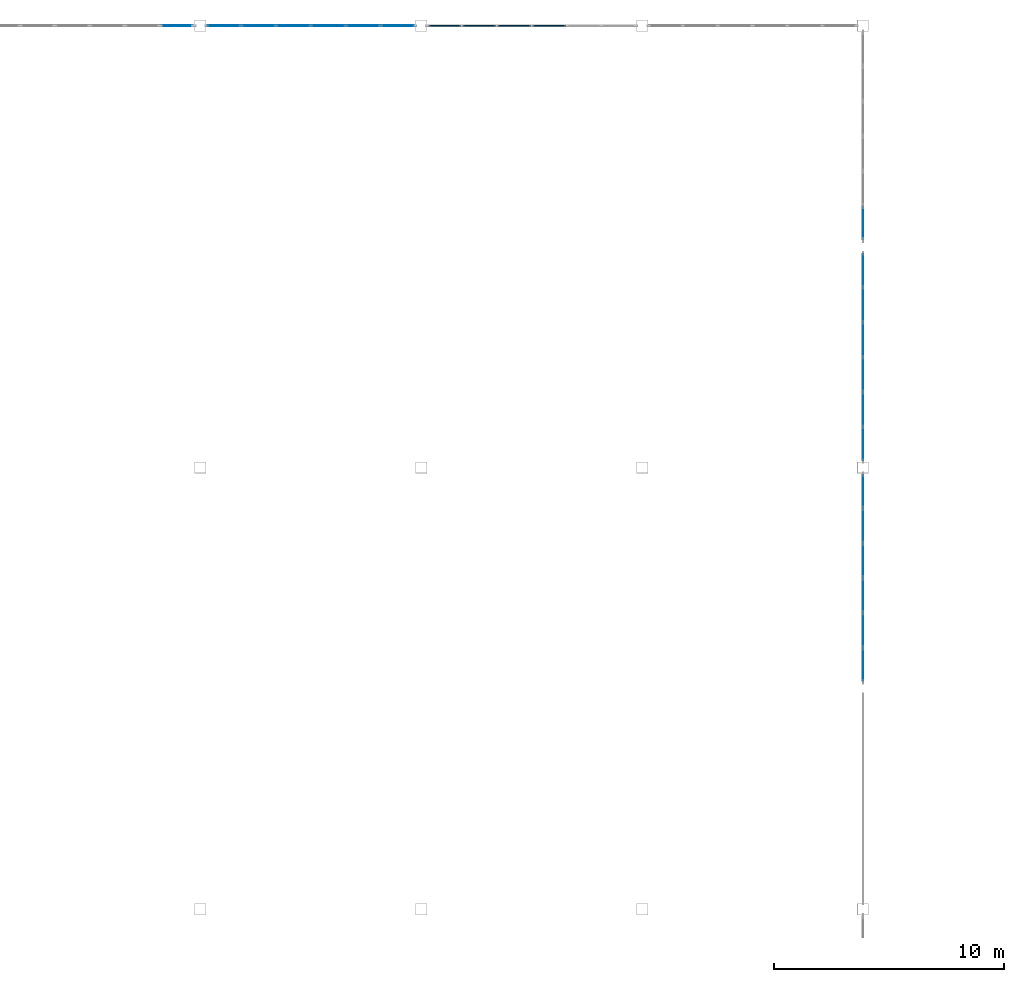
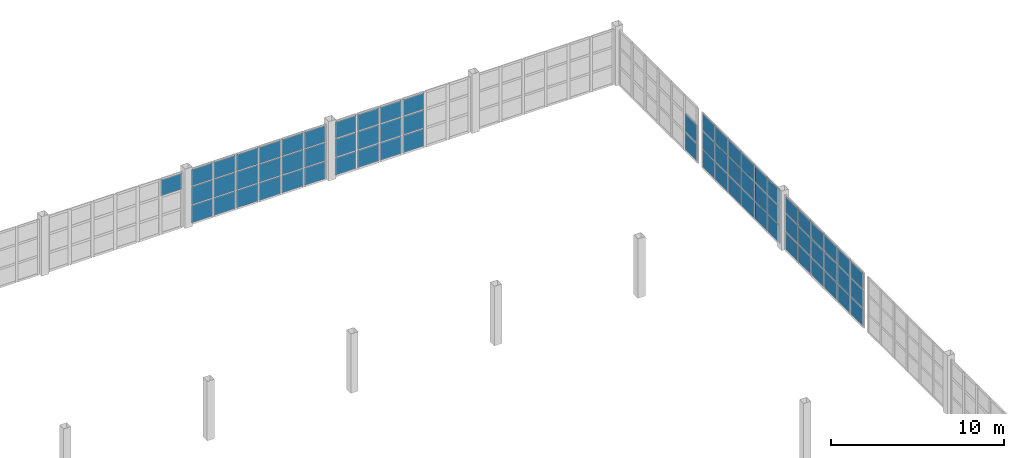
# One storey, part 58 of 82: 69 plates, 6 elements without a shape of their own.
"""IFC4 building model written with IfcOpenShell, lengths in metres."""

from ifc_helpers import new_model, si_unit, direction, frame, origin, origin_2d, place, context, subcontext, project, spatial, rectangle, extrude, material, layer, layer_set, type_object, element, aggregate, save


model = new_model("IFC4")

# Units and contexts
model_context = context("Model", 3, precision=1e-05, world=origin(), true_north=direction((0.0, 1.0)))
body_context = subcontext(model_context, "Body", "Model", "MODEL_VIEW")
ifc_project = project(units=[si_unit("LENGTHUNIT", "METRE"), si_unit("AREAUNIT", "SQUARE_METRE"), si_unit("VOLUMEUNIT", "CUBIC_METRE"), si_unit("PLANEANGLEUNIT", "RADIAN"), si_unit("MASSUNIT", "GRAM", prefix="KILO")], contexts=[model_context])

# Site, building, storey
site_placement = place(None, origin())
site = spatial("IfcSite", under=ifc_project, at=site_placement, CompositionType="ELEMENT")
building_placement = place(site_placement, origin())
building = spatial("IfcBuilding", under=site, at=building_placement, Name="Zarnetskaya Central Station", CompositionType="ELEMENT")
storey_placement = place(building_placement, frame((0.0, 0.0, 10.199951171875)))
storey = spatial("IfcBuildingStorey", under=building, at=storey_placement, Name="L02", CompositionType="ELEMENT", Elevation=10.199951171875)

# Curtain wall, plates
ifc_material = material(Name="Low-E insulated glass", Category="glass")
ifc_layer_1 = layer(ifc_material, 0.1640625, Name="Low-E insulated glass", Category="glass")
ifc_layer_set_1 = layer_set([ifc_layer_1], Name="Low-E insulated glass")
curtain_wall_type = type_object("IfcCurtainWallType", Name="CW-SYS-12", PredefinedType="USERDEFINED", material=ifc_layer_set_1)
curtain_wall_1_placement = place(storey_placement, origin())
curtain_wall_1 = element("IfcCurtainWall", 1, at=curtain_wall_1_placement, inside=storey, type_object=curtain_wall_type, Name="Curtain wall CW-L02-176", ObjectType="CURTAIN WALL", PredefinedType="USERDEFINED")
ifc_layer_2 = layer(ifc_material, 0.031982421875, Name="Low-E insulated glass", Category="glass")
ifc_layer_set_2 = layer_set([ifc_layer_2], Name="Low-E insulated glass")
plate_type_1 = type_object("IfcPlateType", Name="CW-PAN-32", PredefinedType="CURTAIN_PANEL", material=ifc_layer_set_2)
plate_1_placement = place(storey_placement, frame((124.800048828125, 116.228271484375, 0.080078125), z_axis=(0.0, 0.0, 1.0), x_axis=(0.0, -1.0, 0.0)))
plate_1 = element("IfcPlate", 2, at=plate_1_placement, type_object=plate_type_1, Name="CW-18 panel 6.1", PredefinedType="CURTAIN_PANEL", context=body_context, shape_type="SweptSolid", body=[
    extrude(rectangle(XDim=1.396728515625, YDim=0.031982421875, at=origin_2d()), origin(), (0.0, 0.0, 1.0), 1.2060546875),
])
plate_2_placement = place(storey_placement, frame((124.800048828125, 116.228271484375, 1.365966796875), z_axis=(0.0, 0.0, 1.0), x_axis=(0.0, -1.0, 0.0)))
plate_2 = element("IfcPlate", 3, at=plate_2_placement, type_object=plate_type_1, Name="CW-18 panel 6.2", PredefinedType="CURTAIN_PANEL", context=body_context, shape_type="SweptSolid", body=[
    extrude(rectangle(XDim=1.396728515625, YDim=0.031982421875, at=origin_2d()), origin(), (0.0, 0.0, 1.0), 1.24609375),
])
aggregate(curtain_wall_1, [plate_1, plate_2])

# Curtain wall, plate
curtain_wall_2_placement = place(storey_placement, origin())
curtain_wall_2 = element("IfcCurtainWall", 4, at=curtain_wall_2_placement, inside=storey, type_object=curtain_wall_type, Name="Curtain wall CW-L02-172", ObjectType="CURTAIN WALL", PredefinedType="USERDEFINED")
ifc_layer_3 = layer(ifc_material, 0.035888671875, Name="Low-E insulated glass", Category="glass")
ifc_layer_set_3 = layer_set([ifc_layer_3], Name="Low-E insulated glass")
plate_type_2 = type_object("IfcPlateType", Name="CW-PAN-36", PredefinedType="CURTAIN_PANEL", material=ifc_layer_set_3)
plate_3_placement = place(storey_placement, frame((94.9716796875, 124.800048828125, 2.692138671875), z_axis=(0.0, 0.0, 1.0), x_axis=(1.0, 0.0, 0.0)))
plate_3 = element("IfcPlate", 5, at=plate_3_placement, type_object=plate_type_2, Name="CW-18 panel 6.3", PredefinedType="CURTAIN_PANEL", context=body_context, shape_type="SweptSolid", body=[
    extrude(rectangle(XDim=1.396728515625, YDim=0.035888671875, at=origin_2d()), origin(), (0.0, 0.0, 1.0), 1.1279296875),
])
aggregate(curtain_wall_2, [plate_3])

# Curtain wall, plates
curtain_wall_3_placement = place(storey_placement, origin())
curtain_wall_3 = element("IfcCurtainWall", 6, at=curtain_wall_3_placement, inside=storey, type_object=curtain_wall_type, Name="Curtain wall CW-L02-177", ObjectType="CURTAIN WALL", PredefinedType="USERDEFINED")
plate_4_placement = place(storey_placement, frame((124.800048828125, 114.174072265625, 0.0703125), z_axis=(0.0, 0.0, 1.0), x_axis=(0.0, -1.0, 0.0)))
plate_4 = element("IfcPlate", 7, at=plate_4_placement, type_object=plate_type_2, Name="CW-18 panel 1.1", PredefinedType="CURTAIN_PANEL", context=body_context, shape_type="SweptSolid", body=[
    extrude(rectangle(XDim=1.41162109375, YDim=0.035888671875, at=origin_2d()), origin(), (0.0, 0.0, 1.0), 1.220947265625),
])
plate_5_placement = place(storey_placement, frame((124.800048828125, 114.174072265625, 1.36083984375), z_axis=(0.0, 0.0, 1.0), x_axis=(0.0, -1.0, 0.0)))
plate_5 = element("IfcPlate", 8, at=plate_5_placement, type_object=plate_type_2, Name="CW-18 panel 1.2", PredefinedType="CURTAIN_PANEL", context=body_context, shape_type="SweptSolid", body=[
    extrude(rectangle(XDim=1.41162109375, YDim=0.035888671875, at=origin_2d()), origin(), (0.0, 0.0, 1.0), 1.256103515625),
])
plate_6_placement = place(storey_placement, frame((124.800048828125, 114.174072265625, 2.68701171875), z_axis=(0.0, 0.0, 1.0), x_axis=(0.0, -1.0, 0.0)))
plate_6 = element("IfcPlate", 9, at=plate_6_placement, type_object=plate_type_2, Name="CW-18 panel 1.3", PredefinedType="CURTAIN_PANEL", context=body_context, shape_type="SweptSolid", body=[
    extrude(rectangle(XDim=1.41162109375, YDim=0.035888671875, at=origin_2d()), origin(), (0.0, 0.0, 1.0), 1.14306640625),
])
plate_7_placement = place(storey_placement, frame((124.800048828125, 112.675048828125, 0.0703125), z_axis=(0.0, 0.0, 1.0), x_axis=(0.0, -1.0, 0.0)))
plate_7 = element("IfcPlate", 10, at=plate_7_placement, type_object=plate_type_2, Name="CW-18 panel 2.1", PredefinedType="CURTAIN_PANEL", context=body_context, shape_type="SweptSolid", body=[
    extrude(rectangle(XDim=1.44677734375, YDim=0.035888671875, at=origin_2d()), origin(), (0.0, 0.0, 1.0), 1.220947265625),
])
plate_8_placement = place(storey_placement, frame((124.800048828125, 112.675048828125, 1.36083984375), z_axis=(0.0, 0.0, 1.0), x_axis=(0.0, -1.0, 0.0)))
plate_8 = element("IfcPlate", 11, at=plate_8_placement, type_object=plate_type_2, Name="CW-18 panel 2.2", PredefinedType="CURTAIN_PANEL", context=body_context, shape_type="SweptSolid", body=[
    extrude(rectangle(XDim=1.44677734375, YDim=0.035888671875, at=origin_2d()), origin(), (0.0, 0.0, 1.0), 1.256103515625),
])
plate_9_placement = place(storey_placement, frame((124.800048828125, 112.675048828125, 2.68701171875), z_axis=(0.0, 0.0, 1.0), x_axis=(0.0, -1.0, 0.0)))
plate_9 = element("IfcPlate", 12, at=plate_9_placement, type_object=plate_type_2, Name="CW-18 panel 2.3", PredefinedType="CURTAIN_PANEL", context=body_context, shape_type="SweptSolid", body=[
    extrude(rectangle(XDim=1.44677734375, YDim=0.035888671875, at=origin_2d()), origin(), (0.0, 0.0, 1.0), 1.14306640625),
])
plate_10_placement = place(storey_placement, frame((124.800048828125, 111.158447265625, 0.0703125), z_axis=(0.0, 0.0, 1.0), x_axis=(0.0, -1.0, 0.0)))
plate_10 = element("IfcPlate", 13, at=plate_10_placement, type_object=plate_type_2, Name="CW-18 panel 3.1", PredefinedType="CURTAIN_PANEL", context=body_context, shape_type="SweptSolid", body=[
    extrude(rectangle(XDim=1.44677734375, YDim=0.035888671875, at=origin_2d()), origin(), (0.0, 0.0, 1.0), 1.220947265625),
])
plate_11_placement = place(storey_placement, frame((124.800048828125, 111.158447265625, 1.36083984375), z_axis=(0.0, 0.0, 1.0), x_axis=(0.0, -1.0, 0.0)))
plate_11 = element("IfcPlate", 14, at=plate_11_placement, type_object=plate_type_2, Name="CW-18 panel 3.2", PredefinedType="CURTAIN_PANEL", context=body_context, shape_type="SweptSolid", body=[
    extrude(rectangle(XDim=1.44677734375, YDim=0.035888671875, at=origin_2d()), origin(), (0.0, 0.0, 1.0), 1.256103515625),
])
plate_12_placement = place(storey_placement, frame((124.800048828125, 111.158447265625, 2.68701171875), z_axis=(0.0, 0.0, 1.0), x_axis=(0.0, -1.0, 0.0)))
plate_12 = element("IfcPlate", 15, at=plate_12_placement, type_object=plate_type_2, Name="CW-18 panel 3.3", PredefinedType="CURTAIN_PANEL", context=body_context, shape_type="SweptSolid", body=[
    extrude(rectangle(XDim=1.44677734375, YDim=0.035888671875, at=origin_2d()), origin(), (0.0, 0.0, 1.0), 1.14306640625),
])
plate_13_placement = place(storey_placement, frame((124.800048828125, 109.6416015625, 0.0703125), z_axis=(0.0, 0.0, 1.0), x_axis=(0.0, -1.0, 0.0)))
plate_13 = element("IfcPlate", 16, at=plate_13_placement, type_object=plate_type_2, Name="CW-18 panel 4.1", PredefinedType="CURTAIN_PANEL", context=body_context, shape_type="SweptSolid", body=[
    extrude(rectangle(XDim=1.44677734375, YDim=0.035888671875, at=origin_2d()), origin(), (0.0, 0.0, 1.0), 1.220947265625),
])
plate_14_placement = place(storey_placement, frame((124.800048828125, 109.6416015625, 1.36083984375), z_axis=(0.0, 0.0, 1.0), x_axis=(0.0, -1.0, 0.0)))
plate_14 = element("IfcPlate", 17, at=plate_14_placement, type_object=plate_type_2, Name="CW-18 panel 4.2", PredefinedType="CURTAIN_PANEL", context=body_context, shape_type="SweptSolid", body=[
    extrude(rectangle(XDim=1.44677734375, YDim=0.035888671875, at=origin_2d()), origin(), (0.0, 0.0, 1.0), 1.256103515625),
])
plate_15_placement = place(storey_placement, frame((124.800048828125, 109.6416015625, 2.68701171875), z_axis=(0.0, 0.0, 1.0), x_axis=(0.0, -1.0, 0.0)))
plate_15 = element("IfcPlate", 18, at=plate_15_placement, type_object=plate_type_2, Name="CW-18 panel 4.3", PredefinedType="CURTAIN_PANEL", context=body_context, shape_type="SweptSolid", body=[
    extrude(rectangle(XDim=1.44677734375, YDim=0.035888671875, at=origin_2d()), origin(), (0.0, 0.0, 1.0), 1.14306640625),
])
plate_16_placement = place(storey_placement, frame((124.800048828125, 108.125, 0.0703125), z_axis=(0.0, 0.0, 1.0), x_axis=(0.0, -1.0, 0.0)))
plate_16 = element("IfcPlate", 19, at=plate_16_placement, type_object=plate_type_2, Name="CW-18 panel 5.1", PredefinedType="CURTAIN_PANEL", context=body_context, shape_type="SweptSolid", body=[
    extrude(rectangle(XDim=1.44677734375, YDim=0.035888671875, at=origin_2d()), origin(), (0.0, 0.0, 1.0), 1.220947265625),
])
plate_17_placement = place(storey_placement, frame((124.800048828125, 108.125, 1.36083984375), z_axis=(0.0, 0.0, 1.0), x_axis=(0.0, -1.0, 0.0)))
plate_17 = element("IfcPlate", 20, at=plate_17_placement, type_object=plate_type_2, Name="CW-18 panel 5.2", PredefinedType="CURTAIN_PANEL", context=body_context, shape_type="SweptSolid", body=[
    extrude(rectangle(XDim=1.44677734375, YDim=0.035888671875, at=origin_2d()), origin(), (0.0, 0.0, 1.0), 1.256103515625),
])
plate_18_placement = place(storey_placement, frame((124.800048828125, 108.125, 2.68701171875), z_axis=(0.0, 0.0, 1.0), x_axis=(0.0, -1.0, 0.0)))
plate_18 = element("IfcPlate", 21, at=plate_18_placement, type_object=plate_type_2, Name="CW-18 panel 5.3", PredefinedType="CURTAIN_PANEL", context=body_context, shape_type="SweptSolid", body=[
    extrude(rectangle(XDim=1.44677734375, YDim=0.035888671875, at=origin_2d()), origin(), (0.0, 0.0, 1.0), 1.14306640625),
])
plate_19_placement = place(storey_placement, frame((124.800048828125, 106.625732421875, 0.0703125), z_axis=(0.0, 0.0, 1.0), x_axis=(0.0, -1.0, 0.0)))
plate_19 = element("IfcPlate", 22, at=plate_19_placement, type_object=plate_type_2, Name="CW-18 panel 6.1", PredefinedType="CURTAIN_PANEL", context=body_context, shape_type="SweptSolid", body=[
    extrude(rectangle(XDim=1.41162109375, YDim=0.035888671875, at=origin_2d()), origin(), (0.0, 0.0, 1.0), 1.220947265625),
])
plate_20_placement = place(storey_placement, frame((124.800048828125, 106.625732421875, 1.36083984375), z_axis=(0.0, 0.0, 1.0), x_axis=(0.0, -1.0, 0.0)))
plate_20 = element("IfcPlate", 23, at=plate_20_placement, type_object=plate_type_2, Name="CW-18 panel 6.2", PredefinedType="CURTAIN_PANEL", context=body_context, shape_type="SweptSolid", body=[
    extrude(rectangle(XDim=1.41162109375, YDim=0.035888671875, at=origin_2d()), origin(), (0.0, 0.0, 1.0), 1.256103515625),
])
plate_21_placement = place(storey_placement, frame((124.800048828125, 106.625732421875, 2.68701171875), z_axis=(0.0, 0.0, 1.0), x_axis=(0.0, -1.0, 0.0)))
plate_21 = element("IfcPlate", 24, at=plate_21_placement, type_object=plate_type_2, Name="CW-18 panel 6.3", PredefinedType="CURTAIN_PANEL", context=body_context, shape_type="SweptSolid", body=[
    extrude(rectangle(XDim=1.41162109375, YDim=0.035888671875, at=origin_2d()), origin(), (0.0, 0.0, 1.0), 1.14306640625),
])
aggregate(curtain_wall_3, [plate_4, plate_5, plate_6, plate_7, plate_8, plate_9, plate_10, plate_11, plate_12, plate_13, plate_14, plate_15, plate_16, plate_17, plate_18, plate_19, plate_20, plate_21])

curtain_wall_4_placement = place(storey_placement, origin())
curtain_wall_4 = element("IfcCurtainWall", 25, at=curtain_wall_4_placement, inside=storey, type_object=curtain_wall_type, Name="Curtain wall CW-L02-173", ObjectType="CURTAIN WALL", PredefinedType="USERDEFINED")
ifc_layer_4 = layer(ifc_material, 0.0400390625, Name="Low-E insulated glass", Category="glass")
ifc_layer_set_4 = layer_set([ifc_layer_4], Name="Low-E insulated glass")
plate_type_3 = type_object("IfcPlateType", Name="CW-PAN-40", PredefinedType="CURTAIN_PANEL", material=ifc_layer_set_4)
plate_22_placement = place(storey_placement, frame((97.02587890625, 124.800048828125, 0.0703125), z_axis=(0.0, 0.0, 1.0), x_axis=(1.0, 0.0, 0.0)))
plate_22 = element("IfcPlate", 26, at=plate_22_placement, type_object=plate_type_3, Name="CW-18 panel 1.1", PredefinedType="CURTAIN_PANEL", context=body_context, shape_type="SweptSolid", body=[
    extrude(rectangle(XDim=1.41162109375, YDim=0.0400390625, at=origin_2d()), origin(), (0.0, 0.0, 1.0), 1.220947265625),
])
plate_23_placement = place(storey_placement, frame((97.02587890625, 124.800048828125, 1.36083984375), z_axis=(0.0, 0.0, 1.0), x_axis=(1.0, 0.0, 0.0)))
plate_23 = element("IfcPlate", 27, at=plate_23_placement, type_object=plate_type_3, Name="CW-18 panel 1.2", PredefinedType="CURTAIN_PANEL", context=body_context, shape_type="SweptSolid", body=[
    extrude(rectangle(XDim=1.41162109375, YDim=0.0400390625, at=origin_2d()), origin(), (0.0, 0.0, 1.0), 1.256103515625),
])
plate_24_placement = place(storey_placement, frame((97.02587890625, 124.800048828125, 2.68701171875), z_axis=(0.0, 0.0, 1.0), x_axis=(1.0, 0.0, 0.0)))
plate_24 = element("IfcPlate", 28, at=plate_24_placement, type_object=plate_type_3, Name="CW-18 panel 1.3", PredefinedType="CURTAIN_PANEL", context=body_context, shape_type="SweptSolid", body=[
    extrude(rectangle(XDim=1.41162109375, YDim=0.0400390625, at=origin_2d()), origin(), (0.0, 0.0, 1.0), 1.14306640625),
])
plate_25_placement = place(storey_placement, frame((98.52490234375, 124.800048828125, 0.0703125), z_axis=(0.0, 0.0, 1.0), x_axis=(1.0, 0.0, 0.0)))
plate_25 = element("IfcPlate", 29, at=plate_25_placement, type_object=plate_type_3, Name="CW-18 panel 2.1", PredefinedType="CURTAIN_PANEL", context=body_context, shape_type="SweptSolid", body=[
    extrude(rectangle(XDim=1.44677734375, YDim=0.0400390625, at=origin_2d()), origin(), (0.0, 0.0, 1.0), 1.220947265625),
])
plate_26_placement = place(storey_placement, frame((98.52490234375, 124.800048828125, 1.36083984375), z_axis=(0.0, 0.0, 1.0), x_axis=(1.0, 0.0, 0.0)))
plate_26 = element("IfcPlate", 30, at=plate_26_placement, type_object=plate_type_3, Name="CW-18 panel 2.2", PredefinedType="CURTAIN_PANEL", context=body_context, shape_type="SweptSolid", body=[
    extrude(rectangle(XDim=1.44677734375, YDim=0.0400390625, at=origin_2d()), origin(), (0.0, 0.0, 1.0), 1.256103515625),
])
plate_27_placement = place(storey_placement, frame((98.52490234375, 124.800048828125, 2.68701171875), z_axis=(0.0, 0.0, 1.0), x_axis=(1.0, 0.0, 0.0)))
plate_27 = element("IfcPlate", 31, at=plate_27_placement, type_object=plate_type_3, Name="CW-18 panel 2.3", PredefinedType="CURTAIN_PANEL", context=body_context, shape_type="SweptSolid", body=[
    extrude(rectangle(XDim=1.44677734375, YDim=0.0400390625, at=origin_2d()), origin(), (0.0, 0.0, 1.0), 1.14306640625),
])
plate_28_placement = place(storey_placement, frame((100.041748046875, 124.800048828125, 0.0703125), z_axis=(0.0, 0.0, 1.0), x_axis=(1.0, 0.0, 0.0)))
plate_28 = element("IfcPlate", 32, at=plate_28_placement, type_object=plate_type_3, Name="CW-18 panel 3.1", PredefinedType="CURTAIN_PANEL", context=body_context, shape_type="SweptSolid", body=[
    extrude(rectangle(XDim=1.44677734375, YDim=0.0400390625, at=origin_2d()), origin(), (0.0, 0.0, 1.0), 1.220947265625),
])
plate_29_placement = place(storey_placement, frame((100.041748046875, 124.800048828125, 1.36083984375), z_axis=(0.0, 0.0, 1.0), x_axis=(1.0, 0.0, 0.0)))
plate_29 = element("IfcPlate", 33, at=plate_29_placement, type_object=plate_type_3, Name="CW-18 panel 3.2", PredefinedType="CURTAIN_PANEL", context=body_context, shape_type="SweptSolid", body=[
    extrude(rectangle(XDim=1.44677734375, YDim=0.0400390625, at=origin_2d()), origin(), (0.0, 0.0, 1.0), 1.256103515625),
])
plate_30_placement = place(storey_placement, frame((100.041748046875, 124.800048828125, 2.68701171875), z_axis=(0.0, 0.0, 1.0), x_axis=(1.0, 0.0, 0.0)))
plate_30 = element("IfcPlate", 34, at=plate_30_placement, type_object=plate_type_3, Name="CW-18 panel 3.3", PredefinedType="CURTAIN_PANEL", context=body_context, shape_type="SweptSolid", body=[
    extrude(rectangle(XDim=1.44677734375, YDim=0.0400390625, at=origin_2d()), origin(), (0.0, 0.0, 1.0), 1.14306640625),
])
plate_31_placement = place(storey_placement, frame((101.558349609375, 124.800048828125, 0.0703125), z_axis=(0.0, 0.0, 1.0), x_axis=(1.0, 0.0, 0.0)))
plate_31 = element("IfcPlate", 35, at=plate_31_placement, type_object=plate_type_3, Name="CW-18 panel 4.1", PredefinedType="CURTAIN_PANEL", context=body_context, shape_type="SweptSolid", body=[
    extrude(rectangle(XDim=1.44677734375, YDim=0.0400390625, at=origin_2d()), origin(), (0.0, 0.0, 1.0), 1.220947265625),
])
plate_32_placement = place(storey_placement, frame((101.558349609375, 124.800048828125, 1.36083984375), z_axis=(0.0, 0.0, 1.0), x_axis=(1.0, 0.0, 0.0)))
plate_32 = element("IfcPlate", 36, at=plate_32_placement, type_object=plate_type_3, Name="CW-18 panel 4.2", PredefinedType="CURTAIN_PANEL", context=body_context, shape_type="SweptSolid", body=[
    extrude(rectangle(XDim=1.44677734375, YDim=0.0400390625, at=origin_2d()), origin(), (0.0, 0.0, 1.0), 1.256103515625),
])
plate_33_placement = place(storey_placement, frame((101.558349609375, 124.800048828125, 2.68701171875), z_axis=(0.0, 0.0, 1.0), x_axis=(1.0, 0.0, 0.0)))
plate_33 = element("IfcPlate", 37, at=plate_33_placement, type_object=plate_type_3, Name="CW-18 panel 4.3", PredefinedType="CURTAIN_PANEL", context=body_context, shape_type="SweptSolid", body=[
    extrude(rectangle(XDim=1.44677734375, YDim=0.0400390625, at=origin_2d()), origin(), (0.0, 0.0, 1.0), 1.14306640625),
])
plate_34_placement = place(storey_placement, frame((103.074951171875, 124.800048828125, 0.0703125), z_axis=(0.0, 0.0, 1.0), x_axis=(1.0, 0.0, 0.0)))
plate_34 = element("IfcPlate", 38, at=plate_34_placement, type_object=plate_type_3, Name="CW-18 panel 5.1", PredefinedType="CURTAIN_PANEL", context=body_context, shape_type="SweptSolid", body=[
    extrude(rectangle(XDim=1.44677734375, YDim=0.0400390625, at=origin_2d()), origin(), (0.0, 0.0, 1.0), 1.220947265625),
])
plate_35_placement = place(storey_placement, frame((103.074951171875, 124.800048828125, 1.36083984375), z_axis=(0.0, 0.0, 1.0), x_axis=(1.0, 0.0, 0.0)))
plate_35 = element("IfcPlate", 39, at=plate_35_placement, type_object=plate_type_3, Name="CW-18 panel 5.2", PredefinedType="CURTAIN_PANEL", context=body_context, shape_type="SweptSolid", body=[
    extrude(rectangle(XDim=1.44677734375, YDim=0.0400390625, at=origin_2d()), origin(), (0.0, 0.0, 1.0), 1.256103515625),
])
plate_36_placement = place(storey_placement, frame((103.074951171875, 124.800048828125, 2.68701171875), z_axis=(0.0, 0.0, 1.0), x_axis=(1.0, 0.0, 0.0)))
plate_36 = element("IfcPlate", 40, at=plate_36_placement, type_object=plate_type_3, Name="CW-18 panel 5.3", PredefinedType="CURTAIN_PANEL", context=body_context, shape_type="SweptSolid", body=[
    extrude(rectangle(XDim=1.44677734375, YDim=0.0400390625, at=origin_2d()), origin(), (0.0, 0.0, 1.0), 1.14306640625),
])
plate_37_placement = place(storey_placement, frame((104.57421875, 124.800048828125, 0.0703125), z_axis=(0.0, 0.0, 1.0), x_axis=(1.0, 0.0, 0.0)))
plate_37 = element("IfcPlate", 41, at=plate_37_placement, type_object=plate_type_3, Name="CW-18 panel 6.1", PredefinedType="CURTAIN_PANEL", context=body_context, shape_type="SweptSolid", body=[
    extrude(rectangle(XDim=1.41162109375, YDim=0.0400390625, at=origin_2d()), origin(), (0.0, 0.0, 1.0), 1.220947265625),
])
plate_38_placement = place(storey_placement, frame((104.57421875, 124.800048828125, 1.36083984375), z_axis=(0.0, 0.0, 1.0), x_axis=(1.0, 0.0, 0.0)))
plate_38 = element("IfcPlate", 42, at=plate_38_placement, type_object=plate_type_3, Name="CW-18 panel 6.2", PredefinedType="CURTAIN_PANEL", context=body_context, shape_type="SweptSolid", body=[
    extrude(rectangle(XDim=1.41162109375, YDim=0.0400390625, at=origin_2d()), origin(), (0.0, 0.0, 1.0), 1.256103515625),
])
plate_39_placement = place(storey_placement, frame((104.57421875, 124.800048828125, 2.68701171875), z_axis=(0.0, 0.0, 1.0), x_axis=(1.0, 0.0, 0.0)))
plate_39 = element("IfcPlate", 43, at=plate_39_placement, type_object=plate_type_3, Name="CW-18 panel 6.3", PredefinedType="CURTAIN_PANEL", context=body_context, shape_type="SweptSolid", body=[
    extrude(rectangle(XDim=1.41162109375, YDim=0.0400390625, at=origin_2d()), origin(), (0.0, 0.0, 1.0), 1.14306640625),
])
aggregate(curtain_wall_4, [plate_22, plate_23, plate_24, plate_25, plate_26, plate_27, plate_28, plate_29, plate_30, plate_31, plate_32, plate_33, plate_34, plate_35, plate_36, plate_37, plate_38, plate_39])

curtain_wall_5_placement = place(storey_placement, origin())
curtain_wall_5 = element("IfcCurtainWall", 44, at=curtain_wall_5_placement, inside=storey, type_object=curtain_wall_type, Name="Curtain wall CW-L02-178", ObjectType="CURTAIN WALL", PredefinedType="USERDEFINED")
plate_40_placement = place(storey_placement, frame((124.800048828125, 104.57177734375, 0.080078125), z_axis=(0.0, 0.0, 1.0), x_axis=(0.0, -1.0, 0.0)))
plate_40 = element("IfcPlate", 45, at=plate_40_placement, type_object=plate_type_3, Name="CW-18 panel 1.1", PredefinedType="CURTAIN_PANEL", context=body_context, shape_type="SweptSolid", body=[
    extrude(rectangle(XDim=1.396728515625, YDim=0.0400390625, at=origin_2d()), origin(), (0.0, 0.0, 1.0), 1.2060546875),
])
plate_41_placement = place(storey_placement, frame((124.800048828125, 104.57177734375, 1.365966796875), z_axis=(0.0, 0.0, 1.0), x_axis=(0.0, -1.0, 0.0)))
plate_41 = element("IfcPlate", 46, at=plate_41_placement, type_object=plate_type_3, Name="CW-18 panel 1.2", PredefinedType="CURTAIN_PANEL", context=body_context, shape_type="SweptSolid", body=[
    extrude(rectangle(XDim=1.396728515625, YDim=0.0400390625, at=origin_2d()), origin(), (0.0, 0.0, 1.0), 1.24609375),
])
plate_42_placement = place(storey_placement, frame((124.800048828125, 104.57177734375, 2.692138671875), z_axis=(0.0, 0.0, 1.0), x_axis=(0.0, -1.0, 0.0)))
plate_42 = element("IfcPlate", 47, at=plate_42_placement, type_object=plate_type_3, Name="CW-18 panel 1.3", PredefinedType="CURTAIN_PANEL", context=body_context, shape_type="SweptSolid", body=[
    extrude(rectangle(XDim=1.396728515625, YDim=0.0400390625, at=origin_2d()), origin(), (0.0, 0.0, 1.0), 1.1279296875),
])
plate_43_placement = place(storey_placement, frame((124.800048828125, 103.074951171875, 0.080078125), z_axis=(0.0, 0.0, 1.0), x_axis=(0.0, -1.0, 0.0)))
plate_43 = element("IfcPlate", 48, at=plate_43_placement, type_object=plate_type_3, Name="CW-18 panel 2.1", PredefinedType="CURTAIN_PANEL", context=body_context, shape_type="SweptSolid", body=[
    extrude(rectangle(XDim=1.436767578125, YDim=0.0400390625, at=origin_2d()), origin(), (0.0, 0.0, 1.0), 1.2060546875),
])
plate_44_placement = place(storey_placement, frame((124.800048828125, 103.074951171875, 1.365966796875), z_axis=(0.0, 0.0, 1.0), x_axis=(0.0, -1.0, 0.0)))
plate_44 = element("IfcPlate", 49, at=plate_44_placement, type_object=plate_type_3, Name="CW-18 panel 2.2", PredefinedType="CURTAIN_PANEL", context=body_context, shape_type="SweptSolid", body=[
    extrude(rectangle(XDim=1.436767578125, YDim=0.0400390625, at=origin_2d()), origin(), (0.0, 0.0, 1.0), 1.24609375),
])
plate_45_placement = place(storey_placement, frame((124.800048828125, 103.074951171875, 2.692138671875), z_axis=(0.0, 0.0, 1.0), x_axis=(0.0, -1.0, 0.0)))
plate_45 = element("IfcPlate", 50, at=plate_45_placement, type_object=plate_type_3, Name="CW-18 panel 2.3", PredefinedType="CURTAIN_PANEL", context=body_context, shape_type="SweptSolid", body=[
    extrude(rectangle(XDim=1.436767578125, YDim=0.0400390625, at=origin_2d()), origin(), (0.0, 0.0, 1.0), 1.1279296875),
])
plate_46_placement = place(storey_placement, frame((124.800048828125, 101.558349609375, 0.080078125), z_axis=(0.0, 0.0, 1.0), x_axis=(0.0, -1.0, 0.0)))
plate_46 = element("IfcPlate", 51, at=plate_46_placement, type_object=plate_type_3, Name="CW-18 panel 3.1", PredefinedType="CURTAIN_PANEL", context=body_context, shape_type="SweptSolid", body=[
    extrude(rectangle(XDim=1.436767578125, YDim=0.0400390625, at=origin_2d()), origin(), (0.0, 0.0, 1.0), 1.2060546875),
])
plate_47_placement = place(storey_placement, frame((124.800048828125, 101.558349609375, 1.365966796875), z_axis=(0.0, 0.0, 1.0), x_axis=(0.0, -1.0, 0.0)))
plate_47 = element("IfcPlate", 52, at=plate_47_placement, type_object=plate_type_3, Name="CW-18 panel 3.2", PredefinedType="CURTAIN_PANEL", context=body_context, shape_type="SweptSolid", body=[
    extrude(rectangle(XDim=1.436767578125, YDim=0.0400390625, at=origin_2d()), origin(), (0.0, 0.0, 1.0), 1.24609375),
])
plate_48_placement = place(storey_placement, frame((124.800048828125, 101.558349609375, 2.692138671875), z_axis=(0.0, 0.0, 1.0), x_axis=(0.0, -1.0, 0.0)))
plate_48 = element("IfcPlate", 53, at=plate_48_placement, type_object=plate_type_3, Name="CW-18 panel 3.3", PredefinedType="CURTAIN_PANEL", context=body_context, shape_type="SweptSolid", body=[
    extrude(rectangle(XDim=1.436767578125, YDim=0.0400390625, at=origin_2d()), origin(), (0.0, 0.0, 1.0), 1.1279296875),
])
plate_49_placement = place(storey_placement, frame((124.800048828125, 100.041748046875, 0.080078125), z_axis=(0.0, 0.0, 1.0), x_axis=(0.0, -1.0, 0.0)))
plate_49 = element("IfcPlate", 54, at=plate_49_placement, type_object=plate_type_3, Name="CW-18 panel 4.1", PredefinedType="CURTAIN_PANEL", context=body_context, shape_type="SweptSolid", body=[
    extrude(rectangle(XDim=1.436767578125, YDim=0.0400390625, at=origin_2d()), origin(), (0.0, 0.0, 1.0), 1.2060546875),
])
plate_50_placement = place(storey_placement, frame((124.800048828125, 100.041748046875, 1.365966796875), z_axis=(0.0, 0.0, 1.0), x_axis=(0.0, -1.0, 0.0)))
plate_50 = element("IfcPlate", 55, at=plate_50_placement, type_object=plate_type_3, Name="CW-18 panel 4.2", PredefinedType="CURTAIN_PANEL", context=body_context, shape_type="SweptSolid", body=[
    extrude(rectangle(XDim=1.436767578125, YDim=0.0400390625, at=origin_2d()), origin(), (0.0, 0.0, 1.0), 1.24609375),
])
plate_51_placement = place(storey_placement, frame((124.800048828125, 100.041748046875, 2.692138671875), z_axis=(0.0, 0.0, 1.0), x_axis=(0.0, -1.0, 0.0)))
plate_51 = element("IfcPlate", 56, at=plate_51_placement, type_object=plate_type_3, Name="CW-18 panel 4.3", PredefinedType="CURTAIN_PANEL", context=body_context, shape_type="SweptSolid", body=[
    extrude(rectangle(XDim=1.436767578125, YDim=0.0400390625, at=origin_2d()), origin(), (0.0, 0.0, 1.0), 1.1279296875),
])
plate_52_placement = place(storey_placement, frame((124.800048828125, 98.52490234375, 0.080078125), z_axis=(0.0, 0.0, 1.0), x_axis=(0.0, -1.0, 0.0)))
plate_52 = element("IfcPlate", 57, at=plate_52_placement, type_object=plate_type_3, Name="CW-18 panel 5.1", PredefinedType="CURTAIN_PANEL", context=body_context, shape_type="SweptSolid", body=[
    extrude(rectangle(XDim=1.436767578125, YDim=0.0400390625, at=origin_2d()), origin(), (0.0, 0.0, 1.0), 1.2060546875),
])
plate_53_placement = place(storey_placement, frame((124.800048828125, 98.52490234375, 1.365966796875), z_axis=(0.0, 0.0, 1.0), x_axis=(0.0, -1.0, 0.0)))
plate_53 = element("IfcPlate", 58, at=plate_53_placement, type_object=plate_type_3, Name="CW-18 panel 5.2", PredefinedType="CURTAIN_PANEL", context=body_context, shape_type="SweptSolid", body=[
    extrude(rectangle(XDim=1.436767578125, YDim=0.0400390625, at=origin_2d()), origin(), (0.0, 0.0, 1.0), 1.24609375),
])
plate_54_placement = place(storey_placement, frame((124.800048828125, 98.52490234375, 2.692138671875), z_axis=(0.0, 0.0, 1.0), x_axis=(0.0, -1.0, 0.0)))
plate_54 = element("IfcPlate", 59, at=plate_54_placement, type_object=plate_type_3, Name="CW-18 panel 5.3", PredefinedType="CURTAIN_PANEL", context=body_context, shape_type="SweptSolid", body=[
    extrude(rectangle(XDim=1.436767578125, YDim=0.0400390625, at=origin_2d()), origin(), (0.0, 0.0, 1.0), 1.1279296875),
])
plate_55_placement = place(storey_placement, frame((124.800048828125, 97.0283203125, 0.080078125), z_axis=(0.0, 0.0, 1.0), x_axis=(0.0, -1.0, 0.0)))
plate_55 = element("IfcPlate", 60, at=plate_55_placement, type_object=plate_type_3, Name="CW-18 panel 6.1", PredefinedType="CURTAIN_PANEL", context=body_context, shape_type="SweptSolid", body=[
    extrude(rectangle(XDim=1.396728515625, YDim=0.0400390625, at=origin_2d()), origin(), (0.0, 0.0, 1.0), 1.2060546875),
])
plate_56_placement = place(storey_placement, frame((124.800048828125, 97.0283203125, 1.365966796875), z_axis=(0.0, 0.0, 1.0), x_axis=(0.0, -1.0, 0.0)))
plate_56 = element("IfcPlate", 61, at=plate_56_placement, type_object=plate_type_3, Name="CW-18 panel 6.2", PredefinedType="CURTAIN_PANEL", context=body_context, shape_type="SweptSolid", body=[
    extrude(rectangle(XDim=1.396728515625, YDim=0.0400390625, at=origin_2d()), origin(), (0.0, 0.0, 1.0), 1.24609375),
])
plate_57_placement = place(storey_placement, frame((124.800048828125, 97.0283203125, 2.692138671875), z_axis=(0.0, 0.0, 1.0), x_axis=(0.0, -1.0, 0.0)))
plate_57 = element("IfcPlate", 62, at=plate_57_placement, type_object=plate_type_3, Name="CW-18 panel 6.3", PredefinedType="CURTAIN_PANEL", context=body_context, shape_type="SweptSolid", body=[
    extrude(rectangle(XDim=1.396728515625, YDim=0.0400390625, at=origin_2d()), origin(), (0.0, 0.0, 1.0), 1.1279296875),
])
aggregate(curtain_wall_5, [plate_40, plate_41, plate_42, plate_43, plate_44, plate_45, plate_46, plate_47, plate_48, plate_49, plate_50, plate_51, plate_52, plate_53, plate_54, plate_55, plate_56, plate_57])

curtain_wall_6_placement = place(storey_placement, origin())
curtain_wall_6 = element("IfcCurtainWall", 63, at=curtain_wall_6_placement, inside=storey, type_object=curtain_wall_type, Name="Curtain wall CW-L02-174", ObjectType="CURTAIN WALL", PredefinedType="USERDEFINED")
ifc_layer_5 = layer(ifc_material, 0.0439453125, Name="Low-E insulated glass", Category="glass")
ifc_layer_set_5 = layer_set([ifc_layer_5], Name="Low-E insulated glass")
plate_type_4 = type_object("IfcPlateType", Name="CW-PAN-44", PredefinedType="CURTAIN_PANEL", material=ifc_layer_set_5)
plate_58_placement = place(storey_placement, frame((106.62841796875, 124.800048828125, 0.080078125), z_axis=(0.0, 0.0, 1.0), x_axis=(1.0, 0.0, 0.0)))
plate_58 = element("IfcPlate", 64, at=plate_58_placement, type_object=plate_type_4, Name="CW-18 panel 1.1", PredefinedType="CURTAIN_PANEL", context=body_context, shape_type="SweptSolid", body=[
    extrude(rectangle(XDim=1.396728515625, YDim=0.0439453125, at=origin_2d()), origin(), (0.0, 0.0, 1.0), 1.2060546875),
])
plate_59_placement = place(storey_placement, frame((106.62841796875, 124.800048828125, 1.365966796875), z_axis=(0.0, 0.0, 1.0), x_axis=(1.0, 0.0, 0.0)))
plate_59 = element("IfcPlate", 65, at=plate_59_placement, type_object=plate_type_4, Name="CW-18 panel 1.2", PredefinedType="CURTAIN_PANEL", context=body_context, shape_type="SweptSolid", body=[
    extrude(rectangle(XDim=1.396728515625, YDim=0.0439453125, at=origin_2d()), origin(), (0.0, 0.0, 1.0), 1.24609375),
])
plate_60_placement = place(storey_placement, frame((106.62841796875, 124.800048828125, 2.692138671875), z_axis=(0.0, 0.0, 1.0), x_axis=(1.0, 0.0, 0.0)))
plate_60 = element("IfcPlate", 66, at=plate_60_placement, type_object=plate_type_4, Name="CW-18 panel 1.3", PredefinedType="CURTAIN_PANEL", context=body_context, shape_type="SweptSolid", body=[
    extrude(rectangle(XDim=1.396728515625, YDim=0.0439453125, at=origin_2d()), origin(), (0.0, 0.0, 1.0), 1.1279296875),
])
plate_61_placement = place(storey_placement, frame((108.125, 124.800048828125, 0.080078125), z_axis=(0.0, 0.0, 1.0), x_axis=(1.0, 0.0, 0.0)))
plate_61 = element("IfcPlate", 67, at=plate_61_placement, type_object=plate_type_4, Name="CW-18 panel 2.1", PredefinedType="CURTAIN_PANEL", context=body_context, shape_type="SweptSolid", body=[
    extrude(rectangle(XDim=1.436767578125, YDim=0.0439453125, at=origin_2d()), origin(), (0.0, 0.0, 1.0), 1.2060546875),
])
plate_62_placement = place(storey_placement, frame((108.125, 124.800048828125, 1.365966796875), z_axis=(0.0, 0.0, 1.0), x_axis=(1.0, 0.0, 0.0)))
plate_62 = element("IfcPlate", 68, at=plate_62_placement, type_object=plate_type_4, Name="CW-18 panel 2.2", PredefinedType="CURTAIN_PANEL", context=body_context, shape_type="SweptSolid", body=[
    extrude(rectangle(XDim=1.436767578125, YDim=0.0439453125, at=origin_2d()), origin(), (0.0, 0.0, 1.0), 1.24609375),
])
plate_63_placement = place(storey_placement, frame((108.125, 124.800048828125, 2.692138671875), z_axis=(0.0, 0.0, 1.0), x_axis=(1.0, 0.0, 0.0)))
plate_63 = element("IfcPlate", 69, at=plate_63_placement, type_object=plate_type_4, Name="CW-18 panel 2.3", PredefinedType="CURTAIN_PANEL", context=body_context, shape_type="SweptSolid", body=[
    extrude(rectangle(XDim=1.436767578125, YDim=0.0439453125, at=origin_2d()), origin(), (0.0, 0.0, 1.0), 1.1279296875),
])
plate_64_placement = place(storey_placement, frame((109.6416015625, 124.800048828125, 0.080078125), z_axis=(0.0, 0.0, 1.0), x_axis=(1.0, 0.0, 0.0)))
plate_64 = element("IfcPlate", 70, at=plate_64_placement, type_object=plate_type_4, Name="CW-18 panel 3.1", PredefinedType="CURTAIN_PANEL", context=body_context, shape_type="SweptSolid", body=[
    extrude(rectangle(XDim=1.436767578125, YDim=0.0439453125, at=origin_2d()), origin(), (0.0, 0.0, 1.0), 1.2060546875),
])
plate_65_placement = place(storey_placement, frame((109.6416015625, 124.800048828125, 1.365966796875), z_axis=(0.0, 0.0, 1.0), x_axis=(1.0, 0.0, 0.0)))
plate_65 = element("IfcPlate", 71, at=plate_65_placement, type_object=plate_type_4, Name="CW-18 panel 3.2", PredefinedType="CURTAIN_PANEL", context=body_context, shape_type="SweptSolid", body=[
    extrude(rectangle(XDim=1.436767578125, YDim=0.0439453125, at=origin_2d()), origin(), (0.0, 0.0, 1.0), 1.24609375),
])
plate_66_placement = place(storey_placement, frame((109.6416015625, 124.800048828125, 2.692138671875), z_axis=(0.0, 0.0, 1.0), x_axis=(1.0, 0.0, 0.0)))
plate_66 = element("IfcPlate", 72, at=plate_66_placement, type_object=plate_type_4, Name="CW-18 panel 3.3", PredefinedType="CURTAIN_PANEL", context=body_context, shape_type="SweptSolid", body=[
    extrude(rectangle(XDim=1.436767578125, YDim=0.0439453125, at=origin_2d()), origin(), (0.0, 0.0, 1.0), 1.1279296875),
])
plate_67_placement = place(storey_placement, frame((111.158447265625, 124.800048828125, 0.080078125), z_axis=(0.0, 0.0, 1.0), x_axis=(1.0, 0.0, 0.0)))
plate_67 = element("IfcPlate", 73, at=plate_67_placement, type_object=plate_type_4, Name="CW-18 panel 4.1", PredefinedType="CURTAIN_PANEL", context=body_context, shape_type="SweptSolid", body=[
    extrude(rectangle(XDim=1.436767578125, YDim=0.0439453125, at=origin_2d()), origin(), (0.0, 0.0, 1.0), 1.2060546875),
])
plate_68_placement = place(storey_placement, frame((111.158447265625, 124.800048828125, 1.365966796875), z_axis=(0.0, 0.0, 1.0), x_axis=(1.0, 0.0, 0.0)))
plate_68 = element("IfcPlate", 74, at=plate_68_placement, type_object=plate_type_4, Name="CW-18 panel 4.2", PredefinedType="CURTAIN_PANEL", context=body_context, shape_type="SweptSolid", body=[
    extrude(rectangle(XDim=1.436767578125, YDim=0.0439453125, at=origin_2d()), origin(), (0.0, 0.0, 1.0), 1.24609375),
])
plate_69_placement = place(storey_placement, frame((111.158447265625, 124.800048828125, 2.692138671875), z_axis=(0.0, 0.0, 1.0), x_axis=(1.0, 0.0, 0.0)))
plate_69 = element("IfcPlate", 75, at=plate_69_placement, type_object=plate_type_4, Name="CW-18 panel 4.3", PredefinedType="CURTAIN_PANEL", context=body_context, shape_type="SweptSolid", body=[
    extrude(rectangle(XDim=1.436767578125, YDim=0.0439453125, at=origin_2d()), origin(), (0.0, 0.0, 1.0), 1.1279296875),
])
aggregate(curtain_wall_6, [plate_58, plate_59, plate_60, plate_61, plate_62, plate_63, plate_64, plate_65, plate_66, plate_67, plate_68, plate_69])

save(model, "model.ifc")
